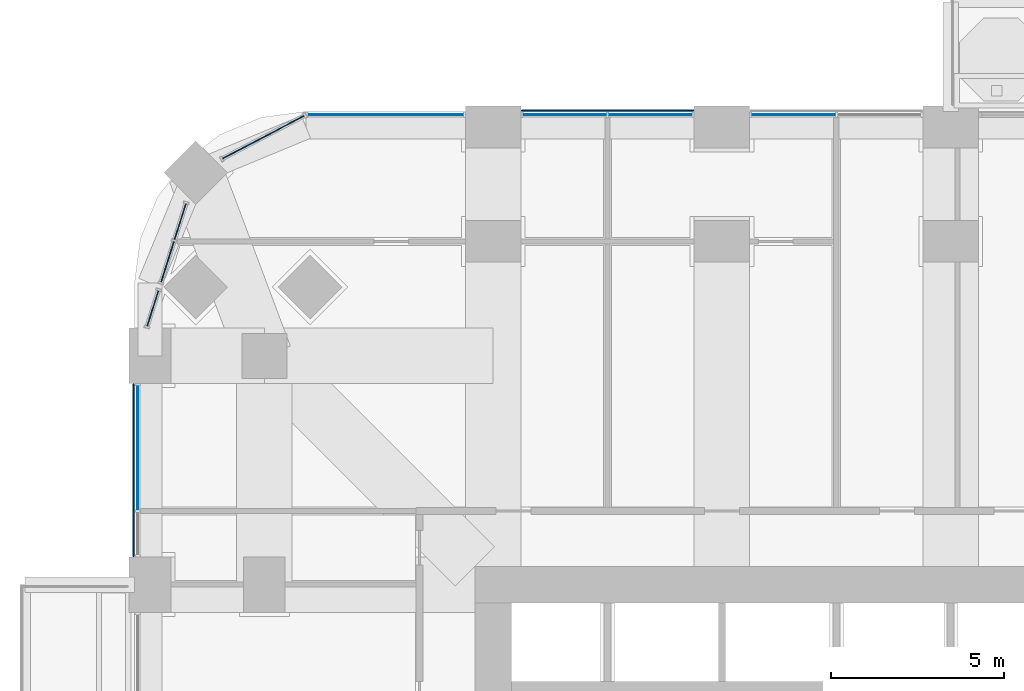
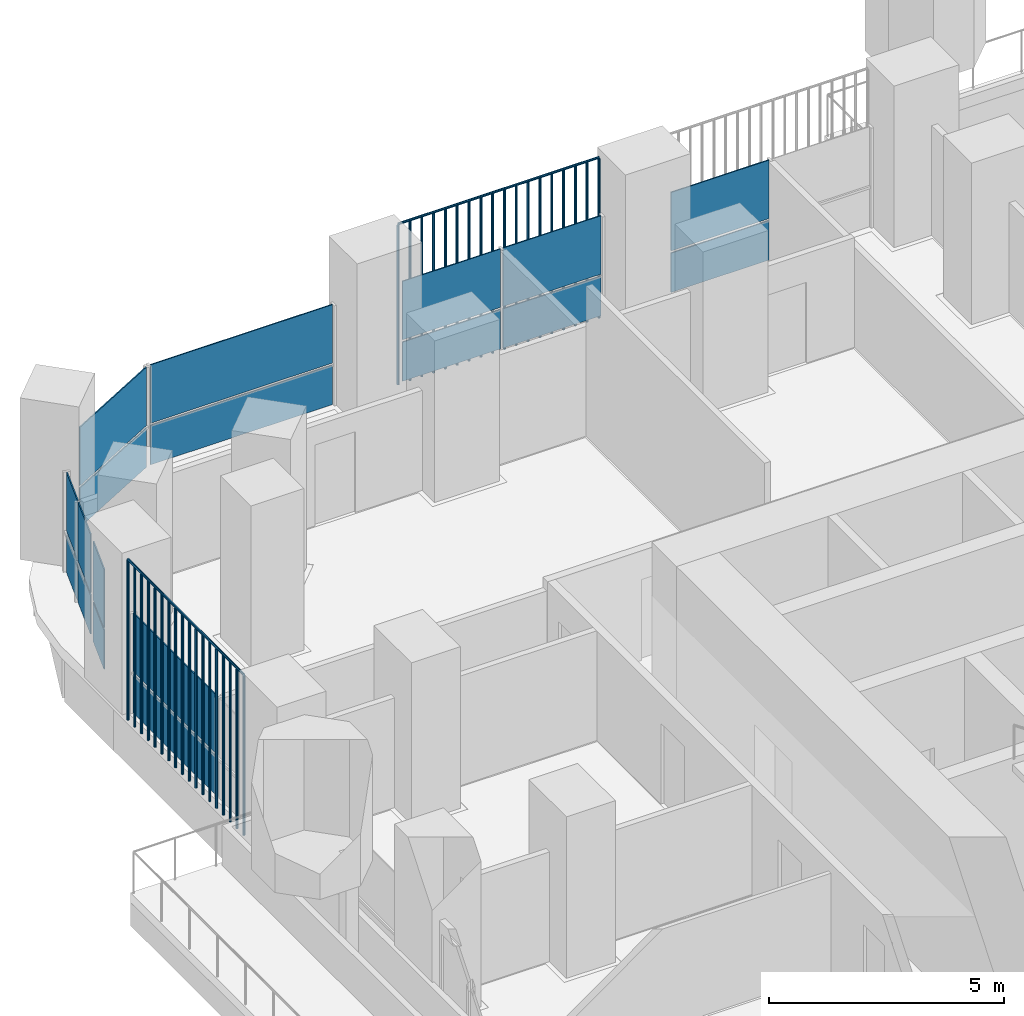
# One storey, part 12 of 22: 20 plates, 7 elements without a shape of their own.
"""IFC4 building model written with IfcOpenShell, lengths in metres."""

from ifc_helpers import new_model, si_unit, direction, frame, origin, origin_2d, place, context, subcontext, project, spatial, polyline, rectangle, outline, extrude, material, layer, layer_set, type_object, element, aggregate, save


model = new_model("IFC4")

# Units and contexts
model_context = context("Model", 3, precision=1e-05, world=origin(), true_north=direction((0.0, 1.0)))
body_context = subcontext(model_context, "Body", "Model", "MODEL_VIEW")
ifc_project = project(units=[si_unit("LENGTHUNIT", "METRE"), si_unit("AREAUNIT", "SQUARE_METRE"), si_unit("VOLUMEUNIT", "CUBIC_METRE"), si_unit("PLANEANGLEUNIT", "RADIAN"), si_unit("MASSUNIT", "GRAM", prefix="KILO")], contexts=[model_context])

# Site, building, storey
site_placement = place(None, origin())
site = spatial("IfcSite", under=ifc_project, at=site_placement, CompositionType="ELEMENT")
building_placement = place(site_placement, origin())
building = spatial("IfcBuilding", under=site, at=building_placement, Name="Cobogo Forest Laboratory Tower", CompositionType="ELEMENT")
storey_placement = place(building_placement, frame((0.0, 0.0, 136.800048828125)))
storey = spatial("IfcBuildingStorey", under=building, at=storey_placement, Name="L31", CompositionType="ELEMENT", Elevation=136.800048828125)

# Curtain wall, plates
ifc_material_1 = material(Name="Aluminium curtain wall", Category="aluminium")
curtain_wall_type = type_object("IfcCurtainWallType", Name="CW-1 unitised curtain wall, clear glazing, laboratory floors zones A and B", PredefinedType="USERDEFINED", material=ifc_material_1)
curtain_wall_1_placement = place(storey_placement, origin())
curtain_wall_1 = element("IfcCurtainWall", 1, at=curtain_wall_1_placement, inside=storey, type_object=curtain_wall_type, Name="Curtain wall 21 L31", ObjectType="UNITISED CURTAIN WALL", PredefinedType="USERDEFINED")
ifc_material_2 = material(Name="Clear insulated glass", Category="glass")
ifc_layer = layer(ifc_material_2, 0.028076171875)
ifc_layer_set = layer_set([ifc_layer], Name="GP-1 clear insulated glass unit 28")
plate_type_1 = type_object("IfcPlateType", Name="GP-1 clear insulated glass unit 28", PredefinedType="CURTAIN_PANEL", material=ifc_layer_set)
plate_1_placement = place(storey_placement, frame((21.864990234375, 46.550048828125, 0.0), z_axis=(0.0, 0.0, 1.0), x_axis=(-1.0, 0.0, 0.0)))
plate_1 = element("IfcPlate", 2, at=plate_1_placement, type_object=plate_type_1, Name="CW-1 panel 2.1", PredefinedType="CURTAIN_PANEL", context=body_context, shape_type="SweptSolid", body=[
    extrude(rectangle(XDim=2.409912109375, YDim=0.028076171875, at=origin_2d()), origin(), (0.0, 0.0, 1.0), 1.02001953125),
])
plate_2_placement = place(storey_placement, frame((21.864990234375, 46.550048828125, 1.079833984375), z_axis=(0.0, 0.0, 1.0), x_axis=(-1.0, 0.0, 0.0)))
plate_2 = element("IfcPlate", 3, at=plate_2_placement, type_object=plate_type_1, Name="CW-1 panel 2.2", PredefinedType="CURTAIN_PANEL", context=body_context, shape_type="SweptSolid", body=[
    extrude(rectangle(XDim=2.409912109375, YDim=0.028076171875, at=origin_2d()), origin(), (0.0, 0.0, 1.0), 1.52001953125),
])
aggregate(curtain_wall_1, [plate_1, plate_2])

curtain_wall_2_placement = place(storey_placement, origin())
curtain_wall_2 = element("IfcCurtainWall", 4, at=curtain_wall_2_placement, inside=storey, type_object=curtain_wall_type, Name="Curtain wall 22 L31", ObjectType="UNITISED CURTAIN WALL", PredefinedType="USERDEFINED")
plate_3_placement = place(storey_placement, frame((17.735107421875, 46.550048828125, 0.0), z_axis=(0.0, 0.0, 1.0), x_axis=(-1.0, 0.0, 0.0)))
plate_3 = element("IfcPlate", 5, at=plate_3_placement, type_object=plate_type_1, Name="CW-1 panel 1.1", PredefinedType="CURTAIN_PANEL", context=body_context, shape_type="SweptSolid", body=[
    extrude(rectangle(XDim=2.409912109375, YDim=0.028076171875, at=origin_2d()), origin(), (0.0, 0.0, 1.0), 1.02001953125),
])
plate_4_placement = place(storey_placement, frame((17.735107421875, 46.550048828125, 1.079833984375), z_axis=(0.0, 0.0, 1.0), x_axis=(-1.0, 0.0, 0.0)))
plate_4 = element("IfcPlate", 6, at=plate_4_placement, type_object=plate_type_1, Name="CW-1 panel 1.2", PredefinedType="CURTAIN_PANEL", context=body_context, shape_type="SweptSolid", body=[
    extrude(rectangle(XDim=2.409912109375, YDim=0.028076171875, at=origin_2d()), origin(), (0.0, 0.0, 1.0), 1.52001953125),
])
plate_5_placement = place(storey_placement, frame((15.264892578125, 46.550048828125, 0.0), z_axis=(0.0, 0.0, 1.0), x_axis=(-1.0, 0.0, 0.0)))
plate_5 = element("IfcPlate", 7, at=plate_5_placement, type_object=plate_type_1, Name="CW-1 panel 2.1", PredefinedType="CURTAIN_PANEL", context=body_context, shape_type="SweptSolid", body=[
    extrude(rectangle(XDim=2.409912109375, YDim=0.028076171875, at=origin_2d()), origin(), (0.0, 0.0, 1.0), 1.02001953125),
])
plate_6_placement = place(storey_placement, frame((15.264892578125, 46.550048828125, 1.079833984375), z_axis=(0.0, 0.0, 1.0), x_axis=(-1.0, 0.0, 0.0)))
plate_6 = element("IfcPlate", 8, at=plate_6_placement, type_object=plate_type_1, Name="CW-1 panel 2.2", PredefinedType="CURTAIN_PANEL", context=body_context, shape_type="SweptSolid", body=[
    extrude(rectangle(XDim=2.409912109375, YDim=0.028076171875, at=origin_2d()), origin(), (0.0, 0.0, 1.0), 1.52001953125),
])
aggregate(curtain_wall_2, [plate_3, plate_4, plate_5, plate_6])

curtain_wall_3_placement = place(storey_placement, origin())
curtain_wall_3 = element("IfcCurtainWall", 9, at=curtain_wall_3_placement, inside=storey, type_object=curtain_wall_type, Name="Curtain wall 23 L31", ObjectType="UNITISED CURTAIN WALL", PredefinedType="USERDEFINED")
plate_7_placement = place(storey_placement, frame((10.10009765625, 46.550048828125, 0.0), z_axis=(0.0, 0.0, 1.0), x_axis=(-1.0, 0.0, 0.0)))
plate_7 = element("IfcPlate", 10, at=plate_7_placement, type_object=plate_type_1, Name="CW-1 panel 1.1", PredefinedType="CURTAIN_PANEL", context=body_context, shape_type="SweptSolid", body=[
    extrude(rectangle(XDim=4.47998046875, YDim=0.028076171875, at=origin_2d()), origin(), (0.0, 0.0, 1.0), 1.02001953125),
])
plate_8_placement = place(storey_placement, frame((10.10009765625, 46.550048828125, 1.079833984375), z_axis=(0.0, 0.0, 1.0), x_axis=(-1.0, 0.0, 0.0)))
plate_8 = element("IfcPlate", 11, at=plate_8_placement, type_object=plate_type_1, Name="CW-1 panel 1.2", PredefinedType="CURTAIN_PANEL", context=body_context, shape_type="SweptSolid", body=[
    extrude(rectangle(XDim=4.47998046875, YDim=0.028076171875, at=origin_2d()), origin(), (0.0, 0.0, 1.0), 1.52001953125),
])
aggregate(curtain_wall_3, [plate_7, plate_8])

curtain_wall_4_placement = place(storey_placement, origin())
curtain_wall_4 = element("IfcCurtainWall", 12, at=curtain_wall_4_placement, inside=storey, type_object=curtain_wall_type, Name="Curtain wall 24 L31", ObjectType="UNITISED CURTAIN WALL", PredefinedType="USERDEFINED")
plate_9_placement = place(storey_placement, frame((6.57080078125, 45.90576171875, 0.0), z_axis=(0.0, 0.0, 1.0), x_axis=(-0.885686547075, -0.464283685186, 0.0)))
plate_9 = element("IfcPlate", 13, at=plate_9_placement, type_object=plate_type_1, Name="CW-1 panel 1.1", PredefinedType="CURTAIN_PANEL", context=body_context, shape_type="SweptSolid", body=[
    extrude(rectangle(XDim=2.655517578125, YDim=0.028076171875, at=origin_2d()), origin(), (0.0, 0.0, 1.0), 1.02001953125),
])
plate_10_placement = place(storey_placement, frame((6.57080078125, 45.90576171875, 1.079833984375), z_axis=(0.0, 0.0, 1.0), x_axis=(-0.885686547075, -0.464283685186, 0.0)))
plate_10 = element("IfcPlate", 14, at=plate_10_placement, type_object=plate_type_1, Name="CW-1 panel 1.2", PredefinedType="CURTAIN_PANEL", context=body_context, shape_type="SweptSolid", body=[
    extrude(rectangle(XDim=2.655517578125, YDim=0.028076171875, at=origin_2d()), origin(), (0.0, 0.0, 1.0), 1.52001953125),
])
aggregate(curtain_wall_4, [plate_9, plate_10])

curtain_wall_5_placement = place(storey_placement, origin())
curtain_wall_5 = element("IfcCurtainWall", 15, at=curtain_wall_5_placement, inside=storey, type_object=curtain_wall_type, Name="Curtain wall 25 L31", ObjectType="UNITISED CURTAIN WALL", PredefinedType="USERDEFINED")
plate_11_placement = place(storey_placement, frame((4.171875, 43.469482421875, 0.0), z_axis=(0.0, 0.0, 1.0), x_axis=(-0.301135291996, -0.953581425949, 0.0)))
plate_11 = element("IfcPlate", 16, at=plate_11_placement, type_object=plate_type_1, Name="CW-1 panel 1.1", PredefinedType="CURTAIN_PANEL", context=body_context, shape_type="SweptSolid", body=[
    extrude(rectangle(XDim=1.083984375, YDim=0.028076171875, at=origin_2d()), origin(), (0.0, 0.0, 1.0), 1.02001953125),
])
plate_12_placement = place(storey_placement, frame((4.171875, 43.469482421875, 1.079833984375), z_axis=(0.0, 0.0, 1.0), x_axis=(-0.301135291996, -0.953581425949, 0.0)))
plate_12 = element("IfcPlate", 17, at=plate_12_placement, type_object=plate_type_1, Name="CW-1 panel 1.2", PredefinedType="CURTAIN_PANEL", context=body_context, shape_type="SweptSolid", body=[
    extrude(rectangle(XDim=1.083984375, YDim=0.028076171875, at=origin_2d()), origin(), (0.0, 0.0, 1.0), 1.52001953125),
])
plate_13_placement = place(storey_placement, frame((3.806396484375, 42.31201171875, 0.0), z_axis=(0.0, 0.0, 1.0), x_axis=(-0.301135291996, -0.953581425949, 0.0)))
plate_13 = element("IfcPlate", 18, at=plate_13_placement, type_object=plate_type_1, Name="CW-1 panel 2.1", PredefinedType="CURTAIN_PANEL", context=body_context, shape_type="SweptSolid", body=[
    extrude(rectangle(XDim=1.223876953125, YDim=0.028076171875, at=origin_2d()), origin(), (0.0, 0.0, 1.0), 1.02001953125),
])
plate_14_placement = place(storey_placement, frame((3.806396484375, 42.31201171875, 1.079833984375), z_axis=(0.0, 0.0, 1.0), x_axis=(-0.301135291996, -0.953581425949, 0.0)))
plate_14 = element("IfcPlate", 19, at=plate_14_placement, type_object=plate_type_1, Name="CW-1 panel 2.2", PredefinedType="CURTAIN_PANEL", context=body_context, shape_type="SweptSolid", body=[
    extrude(rectangle(XDim=1.223876953125, YDim=0.028076171875, at=origin_2d()), origin(), (0.0, 0.0, 1.0), 1.52001953125),
])
aggregate(curtain_wall_5, [plate_11, plate_12, plate_13, plate_14])

curtain_wall_6_placement = place(storey_placement, origin())
curtain_wall_6 = element("IfcCurtainWall", 20, at=curtain_wall_6_placement, inside=storey, type_object=curtain_wall_type, Name="Curtain wall 26 L31", ObjectType="UNITISED CURTAIN WALL", PredefinedType="USERDEFINED")
plate_15_placement = place(storey_placement, frame((3.3818359375, 40.9677734375, 0.0), z_axis=(0.0, 0.0, 1.0), x_axis=(-0.301135667865, -0.953581307252, 0.0)))
plate_15 = element("IfcPlate", 21, at=plate_15_placement, type_object=plate_type_1, Name="CW-1 panel 1.1", PredefinedType="CURTAIN_PANEL", context=body_context, shape_type="SweptSolid", body=[
    extrude(rectangle(XDim=1.071044921875, YDim=0.028076171875, at=origin_2d()), origin(), (0.0, 0.0, 1.0), 1.02001953125),
])
plate_16_placement = place(storey_placement, frame((3.3818359375, 40.9677734375, 1.079833984375), z_axis=(0.0, 0.0, 1.0), x_axis=(-0.301135667865, -0.953581307252, 0.0)))
plate_16 = element("IfcPlate", 22, at=plate_16_placement, type_object=plate_type_1, Name="CW-1 panel 1.2", PredefinedType="CURTAIN_PANEL", context=body_context, shape_type="SweptSolid", body=[
    extrude(rectangle(XDim=1.071044921875, YDim=0.028076171875, at=origin_2d()), origin(), (0.0, 0.0, 1.0), 1.52001953125),
])
aggregate(curtain_wall_6, [plate_15, plate_16])

curtain_wall_7_placement = place(storey_placement, origin())
curtain_wall_7 = element("IfcCurtainWall", 23, at=curtain_wall_7_placement, inside=storey, type_object=curtain_wall_type, Name="Curtain wall 27 L31", ObjectType="UNITISED CURTAIN WALL", PredefinedType="USERDEFINED")
plate_17_placement = place(storey_placement, frame((2.949951171875, 36.947509765625, 0.0), z_axis=(0.0, 0.0, 1.0), x_axis=(0.0, -1.0, 0.0)))
plate_17 = element("IfcPlate", 24, at=plate_17_placement, type_object=plate_type_1, Name="CW-1 panel 1.1", PredefinedType="CURTAIN_PANEL", context=body_context, shape_type="SweptSolid", body=[
    extrude(rectangle(XDim=3.5849609375, YDim=0.028076171875, at=origin_2d()), origin(), (0.0, 0.0, 1.0), 1.02001953125),
])
plate_18_placement = place(storey_placement, frame((2.949951171875, 36.947509765625, 1.079833984375), z_axis=(0.0, 0.0, 1.0), x_axis=(0.0, -1.0, 0.0)))
plate_18 = element("IfcPlate", 25, at=plate_18_placement, type_object=plate_type_1, Name="CW-1 panel 1.2", PredefinedType="CURTAIN_PANEL", context=body_context, shape_type="SweptSolid", body=[
    extrude(rectangle(XDim=3.5849609375, YDim=0.028076171875, at=origin_2d()), origin(), (0.0, 0.0, 1.0), 1.52001953125),
])
aggregate(curtain_wall_7, [plate_17, plate_18])

# Plates
ifc_material_3 = material(Name="Terracotta", Category="masonry")
plate_type_2 = type_object("IfcPlateType", Name="TB1 terracotta baguette screen", PredefinedType="USERDEFINED", material=ifc_material_3)
plate_19_placement = place(storey_placement, frame((14.03125, 46.677978515625, -0.150146484375)))
element("IfcPlate", 26, at=plate_19_placement, inside=storey, type_object=plate_type_2, Name="Baguette screen N1 L31", ObjectType="BAGUETTE SCREEN", PredefinedType="USERDEFINED", context=body_context, shape_type="SweptSolid", body=[
    extrude(outline(polyline([(0.02880859375, 0.011962890625), (0.011962890625, 0.02880859375), (-0.011962890625, 0.02880859375), (-0.02880859375, 0.011962890625), (-0.02880859375, -0.011962890625), (-0.011962890625, -0.02880859375), (0.011962890625, -0.02880859375), (0.02880859375, -0.011962890625), (0.02880859375, 0.011962890625)])), frame((0.0, 0.0, 4.168701171875), z_axis=(1.0, 0.0, 0.0), x_axis=(0.0, 1.0, 0.0)), (0.0, 0.0, 1.0), 4.9375),
    extrude(outline(polyline([(0.02880859375, 0.011962890625), (0.011962890625, 0.02880859375), (-0.011962890625, 0.02880859375), (-0.02880859375, 0.011962890625), (-0.02880859375, -0.011962890625), (-0.011962890625, -0.02880859375), (0.011962890625, -0.02880859375), (0.02880859375, -0.011962890625), (0.02880859375, 0.011962890625)])), origin(), (0.0, 0.0, 1.0), 4.137451171875),
    extrude(outline(polyline([(0.02880859375, 0.011962890625), (0.011962890625, 0.02880859375), (-0.011962890625, 0.02880859375), (-0.02880859375, 0.011962890625), (-0.02880859375, -0.011962890625), (-0.011962890625, -0.02880859375), (0.011962890625, -0.02880859375), (0.02880859375, -0.011962890625), (0.02880859375, 0.011962890625)])), frame((0.29052734375, 0.0, 0.0)), (0.0, 0.0, 1.0), 4.137451171875),
    extrude(outline(polyline([(0.02880859375, 0.011962890625), (0.011962890625, 0.02880859375), (-0.011962890625, 0.02880859375), (-0.02880859375, 0.011962890625), (-0.02880859375, -0.011962890625), (-0.011962890625, -0.02880859375), (0.011962890625, -0.02880859375), (0.02880859375, -0.011962890625), (0.02880859375, 0.011962890625)])), frame((0.580810546875, 0.0, 0.0)), (0.0, 0.0, 1.0), 4.137451171875),
    extrude(outline(polyline([(0.02880859375, 0.011962890625), (0.011962890625, 0.02880859375), (-0.011962890625, 0.02880859375), (-0.02880859375, 0.011962890625), (-0.02880859375, -0.011962890625), (-0.011962890625, -0.02880859375), (0.011962890625, -0.02880859375), (0.02880859375, -0.011962890625), (0.02880859375, 0.011962890625)])), frame((0.871337890625, 0.0, 0.0)), (0.0, 0.0, 1.0), 4.137451171875),
    extrude(outline(polyline([(0.02880859375, 0.011962890625), (0.011962890625, 0.02880859375), (-0.011962890625, 0.02880859375), (-0.02880859375, 0.011962890625), (-0.02880859375, -0.011962890625), (-0.011962890625, -0.02880859375), (0.011962890625, -0.02880859375), (0.02880859375, -0.011962890625), (0.02880859375, 0.011962890625)])), frame((1.161865234375, 0.0, 0.0)), (0.0, 0.0, 1.0), 4.137451171875),
    extrude(outline(polyline([(0.02880859375, 0.011962890625), (0.011962890625, 0.02880859375), (-0.011962890625, 0.02880859375), (-0.02880859375, 0.011962890625), (-0.02880859375, -0.011962890625), (-0.011962890625, -0.02880859375), (0.011962890625, -0.02880859375), (0.02880859375, -0.011962890625), (0.02880859375, 0.011962890625)])), frame((1.4521484375, 0.0, 0.0)), (0.0, 0.0, 1.0), 4.137451171875),
    extrude(outline(polyline([(0.02880859375, 0.011962890625), (0.011962890625, 0.02880859375), (-0.011962890625, 0.02880859375), (-0.02880859375, 0.011962890625), (-0.02880859375, -0.011962890625), (-0.011962890625, -0.02880859375), (0.011962890625, -0.02880859375), (0.02880859375, -0.011962890625), (0.02880859375, 0.011962890625)])), frame((1.74267578125, 0.0, 0.0)), (0.0, 0.0, 1.0), 4.137451171875),
    extrude(outline(polyline([(0.02880859375, 0.011962890625), (0.011962890625, 0.02880859375), (-0.011962890625, 0.02880859375), (-0.02880859375, 0.011962890625), (-0.02880859375, -0.011962890625), (-0.011962890625, -0.02880859375), (0.011962890625, -0.02880859375), (0.02880859375, -0.011962890625), (0.02880859375, 0.011962890625)])), frame((2.033203125, 0.0, 0.0)), (0.0, 0.0, 1.0), 4.137451171875),
    extrude(outline(polyline([(0.02880859375, 0.011962890625), (0.011962890625, 0.02880859375), (-0.011962890625, 0.02880859375), (-0.02880859375, 0.011962890625), (-0.02880859375, -0.011962890625), (-0.011962890625, -0.02880859375), (0.011962890625, -0.02880859375), (0.02880859375, -0.011962890625), (0.02880859375, 0.011962890625)])), frame((2.323486328125, 0.0, 0.0)), (0.0, 0.0, 1.0), 4.137451171875),
    extrude(outline(polyline([(0.02880859375, 0.011962890625), (0.011962890625, 0.02880859375), (-0.011962890625, 0.02880859375), (-0.02880859375, 0.011962890625), (-0.02880859375, -0.011962890625), (-0.011962890625, -0.02880859375), (0.011962890625, -0.02880859375), (0.02880859375, -0.011962890625), (0.02880859375, 0.011962890625)])), frame((2.614013671875, 0.0, 0.0)), (0.0, 0.0, 1.0), 4.137451171875),
    extrude(outline(polyline([(0.02880859375, 0.011962890625), (0.011962890625, 0.02880859375), (-0.011962890625, 0.02880859375), (-0.02880859375, 0.011962890625), (-0.02880859375, -0.011962890625), (-0.011962890625, -0.02880859375), (0.011962890625, -0.02880859375), (0.02880859375, -0.011962890625), (0.02880859375, 0.011962890625)])), frame((2.904296875, 0.0, 0.0)), (0.0, 0.0, 1.0), 4.137451171875),
    extrude(outline(polyline([(0.02880859375, 0.011962890625), (0.011962890625, 0.02880859375), (-0.011962890625, 0.02880859375), (-0.02880859375, 0.011962890625), (-0.02880859375, -0.011962890625), (-0.011962890625, -0.02880859375), (0.011962890625, -0.02880859375), (0.02880859375, -0.011962890625), (0.02880859375, 0.011962890625)])), frame((3.19482421875, 0.0, 0.0)), (0.0, 0.0, 1.0), 4.137451171875),
    extrude(outline(polyline([(0.02880859375, 0.011962890625), (0.011962890625, 0.02880859375), (-0.011962890625, 0.02880859375), (-0.02880859375, 0.011962890625), (-0.02880859375, -0.011962890625), (-0.011962890625, -0.02880859375), (0.011962890625, -0.02880859375), (0.02880859375, -0.011962890625), (0.02880859375, 0.011962890625)])), frame((3.4853515625, 0.0, 0.0)), (0.0, 0.0, 1.0), 4.137451171875),
    extrude(outline(polyline([(0.02880859375, 0.011962890625), (0.011962890625, 0.02880859375), (-0.011962890625, 0.02880859375), (-0.02880859375, 0.011962890625), (-0.02880859375, -0.011962890625), (-0.011962890625, -0.02880859375), (0.011962890625, -0.02880859375), (0.02880859375, -0.011962890625), (0.02880859375, 0.011962890625)])), frame((3.775634765625, 0.0, 0.0)), (0.0, 0.0, 1.0), 4.137451171875),
    extrude(outline(polyline([(0.02880859375, 0.011962890625), (0.011962890625, 0.02880859375), (-0.011962890625, 0.02880859375), (-0.02880859375, 0.011962890625), (-0.02880859375, -0.011962890625), (-0.011962890625, -0.02880859375), (0.011962890625, -0.02880859375), (0.02880859375, -0.011962890625), (0.02880859375, 0.011962890625)])), frame((4.066162109375, 0.0, 0.0)), (0.0, 0.0, 1.0), 4.137451171875),
    extrude(outline(polyline([(0.02880859375, 0.011962890625), (0.011962890625, 0.02880859375), (-0.011962890625, 0.02880859375), (-0.02880859375, 0.011962890625), (-0.02880859375, -0.011962890625), (-0.011962890625, -0.02880859375), (0.011962890625, -0.02880859375), (0.02880859375, -0.011962890625), (0.02880859375, 0.011962890625)])), frame((4.356689453125, 0.0, 0.0)), (0.0, 0.0, 1.0), 4.137451171875),
    extrude(outline(polyline([(0.02880859375, 0.011962890625), (0.011962890625, 0.02880859375), (-0.011962890625, 0.02880859375), (-0.02880859375, 0.011962890625), (-0.02880859375, -0.011962890625), (-0.011962890625, -0.02880859375), (0.011962890625, -0.02880859375), (0.02880859375, -0.011962890625), (0.02880859375, 0.011962890625)])), frame((4.64697265625, 0.0, 0.0)), (0.0, 0.0, 1.0), 4.137451171875),
    extrude(outline(polyline([(0.02880859375, 0.011962890625), (0.011962890625, 0.02880859375), (-0.011962890625, 0.02880859375), (-0.02880859375, 0.011962890625), (-0.02880859375, -0.011962890625), (-0.011962890625, -0.02880859375), (0.011962890625, -0.02880859375), (0.02880859375, -0.011962890625), (0.02880859375, 0.011962890625)])), frame((4.9375, 0.0, 0.0)), (0.0, 0.0, 1.0), 4.137451171875),
])
plate_20_placement = place(storey_placement, frame((2.822021484375, 33.831298828125, -0.150146484375)))
element("IfcPlate", 27, at=plate_20_placement, inside=storey, type_object=plate_type_2, Name="Baguette screen W5 L31", ObjectType="BAGUETTE SCREEN", PredefinedType="USERDEFINED", context=body_context, shape_type="SweptSolid", body=[
    extrude(outline(polyline([(0.02880859375, 0.011962890625), (0.011962890625, 0.02880859375), (-0.011962890625, 0.02880859375), (-0.02880859375, 0.011962890625), (-0.02880859375, -0.011962890625), (-0.011962890625, -0.02880859375), (0.011962890625, -0.02880859375), (0.02880859375, -0.011962890625), (0.02880859375, 0.011962890625)])), frame((0.0, 0.0, 4.168701171875), z_axis=(0.0, 1.0, 0.0), x_axis=(-1.0, 0.0, 0.0)), (0.0, 0.0, 1.0), 4.9375),
    extrude(outline(polyline([(0.02880859375, 0.011962890625), (0.011962890625, 0.02880859375), (-0.011962890625, 0.02880859375), (-0.02880859375, 0.011962890625), (-0.02880859375, -0.011962890625), (-0.011962890625, -0.02880859375), (0.011962890625, -0.02880859375), (0.02880859375, -0.011962890625), (0.02880859375, 0.011962890625)])), origin(), (0.0, 0.0, 1.0), 4.137451171875),
    extrude(outline(polyline([(0.02880859375, 0.011962890625), (0.011962890625, 0.02880859375), (-0.011962890625, 0.02880859375), (-0.02880859375, 0.011962890625), (-0.02880859375, -0.011962890625), (-0.011962890625, -0.02880859375), (0.011962890625, -0.02880859375), (0.02880859375, -0.011962890625), (0.02880859375, 0.011962890625)])), frame((0.0, 0.29052734375, 0.0)), (0.0, 0.0, 1.0), 4.137451171875),
    extrude(outline(polyline([(0.02880859375, 0.011962890625), (0.011962890625, 0.02880859375), (-0.011962890625, 0.02880859375), (-0.02880859375, 0.011962890625), (-0.02880859375, -0.011962890625), (-0.011962890625, -0.02880859375), (0.011962890625, -0.02880859375), (0.02880859375, -0.011962890625), (0.02880859375, 0.011962890625)])), frame((0.0, 0.580810546875, 0.0)), (0.0, 0.0, 1.0), 4.137451171875),
    extrude(outline(polyline([(0.02880859375, 0.011962890625), (0.011962890625, 0.02880859375), (-0.011962890625, 0.02880859375), (-0.02880859375, 0.011962890625), (-0.02880859375, -0.011962890625), (-0.011962890625, -0.02880859375), (0.011962890625, -0.02880859375), (0.02880859375, -0.011962890625), (0.02880859375, 0.011962890625)])), frame((0.0, 0.871337890625, 0.0)), (0.0, 0.0, 1.0), 4.137451171875),
    extrude(outline(polyline([(0.02880859375, 0.011962890625), (0.011962890625, 0.02880859375), (-0.011962890625, 0.02880859375), (-0.02880859375, 0.011962890625), (-0.02880859375, -0.011962890625), (-0.011962890625, -0.02880859375), (0.011962890625, -0.02880859375), (0.02880859375, -0.011962890625), (0.02880859375, 0.011962890625)])), frame((0.0, 1.161865234375, 0.0)), (0.0, 0.0, 1.0), 4.137451171875),
    extrude(outline(polyline([(0.02880859375, 0.011962890625), (0.011962890625, 0.02880859375), (-0.011962890625, 0.02880859375), (-0.02880859375, 0.011962890625), (-0.02880859375, -0.011962890625), (-0.011962890625, -0.02880859375), (0.011962890625, -0.02880859375), (0.02880859375, -0.011962890625), (0.02880859375, 0.011962890625)])), frame((0.0, 1.4521484375, 0.0)), (0.0, 0.0, 1.0), 4.137451171875),
    extrude(outline(polyline([(0.02880859375, 0.011962890625), (0.011962890625, 0.02880859375), (-0.011962890625, 0.02880859375), (-0.02880859375, 0.011962890625), (-0.02880859375, -0.011962890625), (-0.011962890625, -0.02880859375), (0.011962890625, -0.02880859375), (0.02880859375, -0.011962890625), (0.02880859375, 0.011962890625)])), frame((0.0, 1.74267578125, 0.0)), (0.0, 0.0, 1.0), 4.137451171875),
    extrude(outline(polyline([(0.02880859375, 0.011962890625), (0.011962890625, 0.02880859375), (-0.011962890625, 0.02880859375), (-0.02880859375, 0.011962890625), (-0.02880859375, -0.011962890625), (-0.011962890625, -0.02880859375), (0.011962890625, -0.02880859375), (0.02880859375, -0.011962890625), (0.02880859375, 0.011962890625)])), frame((0.0, 2.033203125, 0.0)), (0.0, 0.0, 1.0), 4.137451171875),
    extrude(outline(polyline([(0.02880859375, 0.011962890625), (0.011962890625, 0.02880859375), (-0.011962890625, 0.02880859375), (-0.02880859375, 0.011962890625), (-0.02880859375, -0.011962890625), (-0.011962890625, -0.02880859375), (0.011962890625, -0.02880859375), (0.02880859375, -0.011962890625), (0.02880859375, 0.011962890625)])), frame((0.0, 2.323486328125, 0.0)), (0.0, 0.0, 1.0), 4.137451171875),
    extrude(outline(polyline([(0.02880859375, 0.011962890625), (0.011962890625, 0.02880859375), (-0.011962890625, 0.02880859375), (-0.02880859375, 0.011962890625), (-0.02880859375, -0.011962890625), (-0.011962890625, -0.02880859375), (0.011962890625, -0.02880859375), (0.02880859375, -0.011962890625), (0.02880859375, 0.011962890625)])), frame((0.0, 2.614013671875, 0.0)), (0.0, 0.0, 1.0), 4.137451171875),
    extrude(outline(polyline([(0.02880859375, 0.011962890625), (0.011962890625, 0.02880859375), (-0.011962890625, 0.02880859375), (-0.02880859375, 0.011962890625), (-0.02880859375, -0.011962890625), (-0.011962890625, -0.02880859375), (0.011962890625, -0.02880859375), (0.02880859375, -0.011962890625), (0.02880859375, 0.011962890625)])), frame((0.0, 2.904296875, 0.0)), (0.0, 0.0, 1.0), 4.137451171875),
    extrude(outline(polyline([(0.02880859375, 0.011962890625), (0.011962890625, 0.02880859375), (-0.011962890625, 0.02880859375), (-0.02880859375, 0.011962890625), (-0.02880859375, -0.011962890625), (-0.011962890625, -0.02880859375), (0.011962890625, -0.02880859375), (0.02880859375, -0.011962890625), (0.02880859375, 0.011962890625)])), frame((0.0, 3.19482421875, 0.0)), (0.0, 0.0, 1.0), 4.137451171875),
    extrude(outline(polyline([(0.02880859375, 0.011962890625), (0.011962890625, 0.02880859375), (-0.011962890625, 0.02880859375), (-0.02880859375, 0.011962890625), (-0.02880859375, -0.011962890625), (-0.011962890625, -0.02880859375), (0.011962890625, -0.02880859375), (0.02880859375, -0.011962890625), (0.02880859375, 0.011962890625)])), frame((0.0, 3.4853515625, 0.0)), (0.0, 0.0, 1.0), 4.137451171875),
    extrude(outline(polyline([(0.02880859375, 0.011962890625), (0.011962890625, 0.02880859375), (-0.011962890625, 0.02880859375), (-0.02880859375, 0.011962890625), (-0.02880859375, -0.011962890625), (-0.011962890625, -0.02880859375), (0.011962890625, -0.02880859375), (0.02880859375, -0.011962890625), (0.02880859375, 0.011962890625)])), frame((0.0, 3.775634765625, 0.0)), (0.0, 0.0, 1.0), 4.137451171875),
    extrude(outline(polyline([(0.02880859375, 0.011962890625), (0.011962890625, 0.02880859375), (-0.011962890625, 0.02880859375), (-0.02880859375, 0.011962890625), (-0.02880859375, -0.011962890625), (-0.011962890625, -0.02880859375), (0.011962890625, -0.02880859375), (0.02880859375, -0.011962890625), (0.02880859375, 0.011962890625)])), frame((0.0, 4.066162109375, 0.0)), (0.0, 0.0, 1.0), 4.137451171875),
    extrude(outline(polyline([(0.02880859375, 0.011962890625), (0.011962890625, 0.02880859375), (-0.011962890625, 0.02880859375), (-0.02880859375, 0.011962890625), (-0.02880859375, -0.011962890625), (-0.011962890625, -0.02880859375), (0.011962890625, -0.02880859375), (0.02880859375, -0.011962890625), (0.02880859375, 0.011962890625)])), frame((0.0, 4.356689453125, 0.0)), (0.0, 0.0, 1.0), 4.137451171875),
    extrude(outline(polyline([(0.02880859375, 0.011962890625), (0.011962890625, 0.02880859375), (-0.011962890625, 0.02880859375), (-0.02880859375, 0.011962890625), (-0.02880859375, -0.011962890625), (-0.011962890625, -0.02880859375), (0.011962890625, -0.02880859375), (0.02880859375, -0.011962890625), (0.02880859375, 0.011962890625)])), frame((0.0, 4.64697265625, 0.0)), (0.0, 0.0, 1.0), 4.137451171875),
    extrude(outline(polyline([(0.02880859375, 0.011962890625), (0.011962890625, 0.02880859375), (-0.011962890625, 0.02880859375), (-0.02880859375, 0.011962890625), (-0.02880859375, -0.011962890625), (-0.011962890625, -0.02880859375), (0.011962890625, -0.02880859375), (0.02880859375, -0.011962890625), (0.02880859375, 0.011962890625)])), frame((0.0, 4.9375, 0.0)), (0.0, 0.0, 1.0), 4.137451171875),
])

save(model, "model.ifc")
